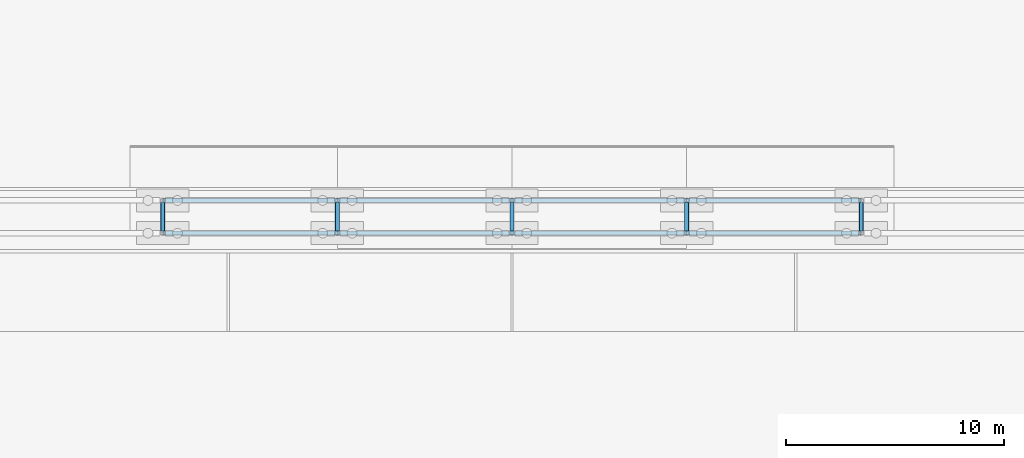
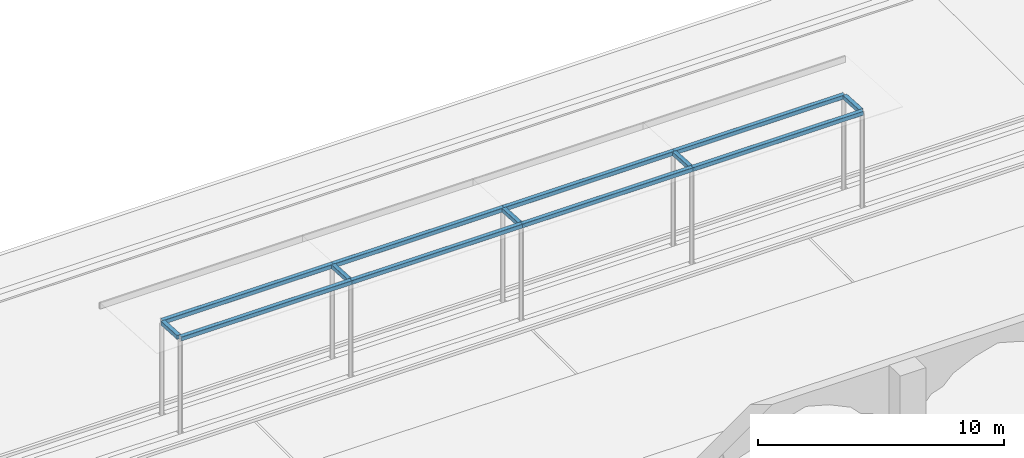
# One storey, part 65 of 250: 13 beams.
"""IFC4 building model written with IfcOpenShell, lengths in metres."""

from ifc_helpers import new_model, si_unit, direction, frame, origin, origin_2d, place, context, subcontext, project, spatial, hollow_rectangle, extrude, material, material_profile, profile_set, type_object, element, save


model = new_model("IFC4")

# Units and contexts
model_context = context("Model", 3, precision=1e-05, world=origin(), true_north=direction((0.0, 1.0)))
body_context = subcontext(model_context, "Body", "Model", "MODEL_VIEW")
ifc_project = project(units=[si_unit("LENGTHUNIT", "METRE"), si_unit("AREAUNIT", "SQUARE_METRE"), si_unit("VOLUMEUNIT", "CUBIC_METRE"), si_unit("PLANEANGLEUNIT", "RADIAN"), si_unit("MASSUNIT", "GRAM", prefix="KILO")], contexts=[model_context])

# Site, building, storey
site_placement = place(None, origin())
site = spatial("IfcSite", under=ifc_project, at=site_placement, CompositionType="ELEMENT")
building_placement = place(site_placement, origin())
building = spatial("IfcBuilding", under=site, at=building_placement, Name="Baradari Gate Terminus", CompositionType="ELEMENT")
storey_placement = place(building_placement, origin())
storey = spatial("IfcBuildingStorey", under=building, at=storey_placement, Name="L00", CompositionType="ELEMENT", Elevation=0.0)

# Beams
ifc_material = material(Name="Steel S355", Category="steel")
ifc_material_profile = material_profile(ifc_material, hollow_rectangle(XDim=0.199951171875, YDim=0.199951171875, WallThickness=0.008056640625, InnerFilletRadius=0.008056640625, OuterFilletRadius=0.01611328125, at=origin_2d()), Name="SHS 200x200x8")
ifc_profile_set = profile_set([ifc_material_profile], Name="Steel S355")
beam_type = type_object("IfcBeamType", Name="Shelter edge beam SHS 200x200x8", PredefinedType="BEAM", material=ifc_profile_set)
for number, where, z_axis, x_axis, name in (
    (1, (194.0, 138.0, 4.66015625), (1.0, 0.0, 0.0), (0.0, 1.0, 0.0), "Bus shelter edge beam 1.1"),
    (2, (202.0, 138.0, 4.66015625), (1.0, 0.0, 0.0), (0.0, 1.0, 0.0), "Bus shelter edge beam 1.2"),
    (3, (210.0, 138.0, 4.66015625), (1.0, 0.0, 0.0), (0.0, 1.0, 0.0), "Bus shelter edge beam 1.3"),
    (4, (218.0, 138.0, 4.66015625), (1.0, 0.0, 0.0), (0.0, 1.0, 0.0), "Bus shelter edge beam 1.4"),
    (5, (194.0, 139.5, 4.570068359375), (1.0, 0.0, 0.0), (0.0, 1.0, 0.0), "Bus shelter edge beam 2.1"),
    (6, (202.0, 139.5, 4.570068359375), (1.0, 0.0, 0.0), (0.0, 1.0, 0.0), "Bus shelter edge beam 2.2"),
    (7, (210.0, 139.5, 4.570068359375), (1.0, 0.0, 0.0), (0.0, 1.0, 0.0), "Bus shelter edge beam 2.3"),
    (8, (218.0, 139.5, 4.570068359375), (1.0, 0.0, 0.0), (0.0, 1.0, 0.0), "Bus shelter edge beam 2.4"),
):
    element("IfcBeam", number, at=place(storey_placement, frame(where, z_axis=z_axis, x_axis=x_axis)), inside=storey, type_object=beam_type, Name=name, PredefinedType="BEAM", context=body_context, shape_type="SweptSolid", body=[
        extrude(hollow_rectangle(XDim=0.199951171875, YDim=0.199951171875, WallThickness=0.008056640625, InnerFilletRadius=0.008056640625, OuterFilletRadius=0.01611328125, at=origin_2d()), origin(), (0.0, 0.0, 1.0), 8.0),
    ])
for number, where, z_axis, x_axis, name in (
    (9, (194.0, 138.10009765625, 4.654052734375), (0.0, 0.998209774126, -0.059810089772), (-1.0, 0.0, 0.0), "Bus shelter cross beam 1"),
    (10, (202.0, 138.10009765625, 4.654052734375), (0.0, 0.998209774126, -0.059810089772), (-1.0, 0.0, 0.0), "Bus shelter cross beam 2"),
    (11, (210.0, 138.10009765625, 4.654052734375), (0.0, 0.998209774126, -0.059810089772), (-1.0, 0.0, 0.0), "Bus shelter cross beam 3"),
    (12, (218.0, 138.10009765625, 4.654052734375), (0.0, 0.998209774126, -0.059810089772), (-1.0, 0.0, 0.0), "Bus shelter cross beam 4"),
    (13, (226.0, 138.10009765625, 4.654052734375), (0.0, 0.998209774126, -0.059810089772), (-1.0, 0.0, 0.0), "Bus shelter cross beam 5"),
):
    element("IfcBeam", number, at=place(storey_placement, frame(where, z_axis=z_axis, x_axis=x_axis)), inside=storey, type_object=beam_type, Name=name, PredefinedType="BEAM", context=body_context, shape_type="SweptSolid", body=[
        extrude(hollow_rectangle(XDim=0.199951171875, YDim=0.199951171875, WallThickness=0.008056640625, InnerFilletRadius=0.008056640625, OuterFilletRadius=0.01611328125, at=origin_2d()), origin(), (0.0, 0.0, 1.0), 1.30224609375),
    ])

save(model, "model.ifc")
